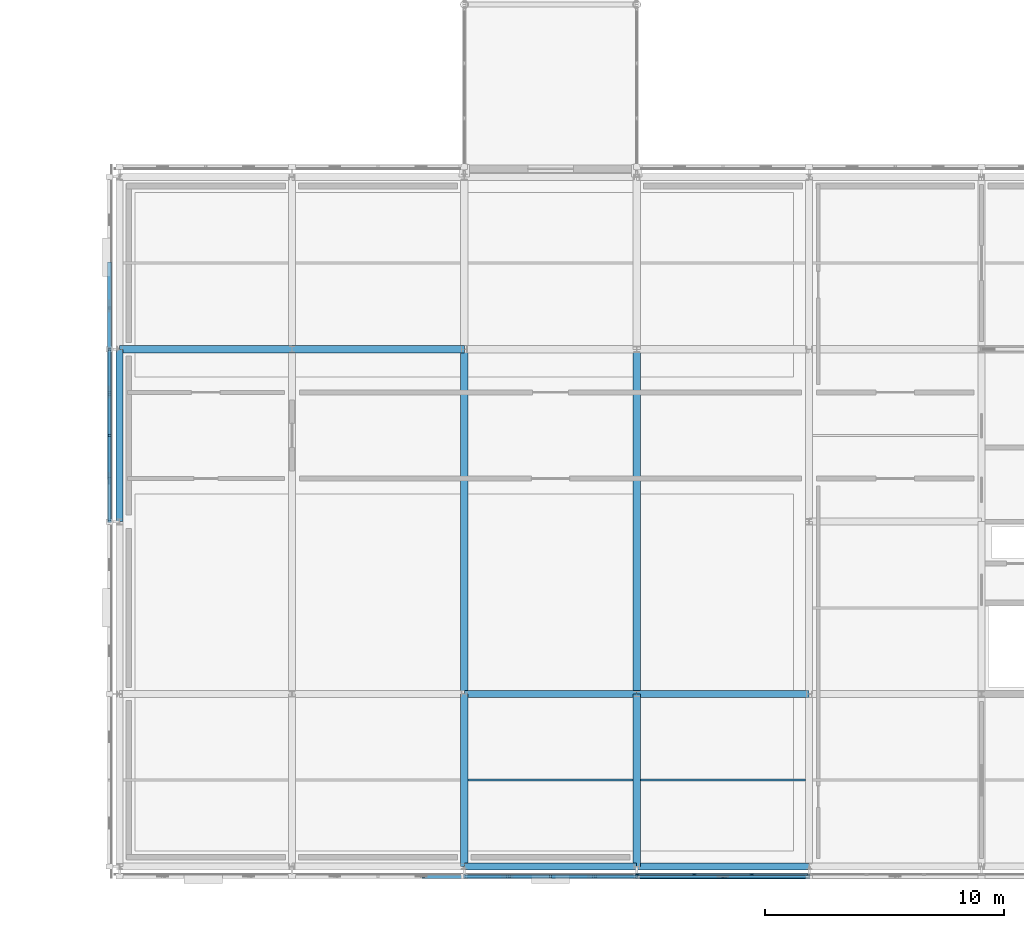
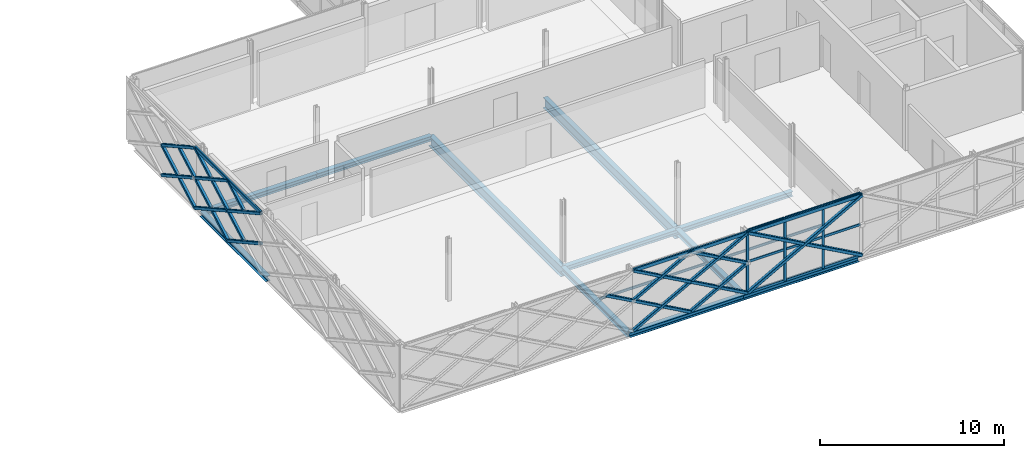
# One storey, part 20 of 126: 46 members, 13 beams, 1 element without a shape of its own.
"""IFC4 building model written with IfcOpenShell, lengths in metres."""

from ifc_helpers import new_model, si_unit, direction, frame, origin, origin_2d, place, context, subcontext, project, spatial, rectangle, hollow_rectangle, i_section, extrude, material, material_profile, profile_set, type_object, element, aggregate, save


model = new_model("IFC4")

# Units and contexts
model_context = context("Model", 3, precision=1e-05, world=origin(), true_north=direction((0.0, 1.0)))
body_context = subcontext(model_context, "Body", "Model", "MODEL_VIEW")
ifc_project = project(units=[si_unit("LENGTHUNIT", "METRE"), si_unit("AREAUNIT", "SQUARE_METRE"), si_unit("VOLUMEUNIT", "CUBIC_METRE"), si_unit("PLANEANGLEUNIT", "RADIAN"), si_unit("MASSUNIT", "GRAM", prefix="KILO")], contexts=[model_context])

# Site, building, storey
site_placement = place(None, origin())
site = spatial("IfcSite", under=ifc_project, at=site_placement, CompositionType="ELEMENT")
building_placement = place(site_placement, origin())
building = spatial("IfcBuilding", under=site, at=building_placement, Name="Zlatovets Crest Museum", CompositionType="ELEMENT")
storey_placement = place(building_placement, frame((0.0, 0.0, 8.699951171875)))
storey = spatial("IfcBuildingStorey", under=building, at=storey_placement, Name="L02", CompositionType="ELEMENT", Elevation=8.699951171875)

# Beams
ifc_material_1 = material(Name="Structural steel S355J2", Category="steel")
ifc_material_profile_1 = material_profile(ifc_material_1, i_section(OverallWidth=0.300048828125, OverallDepth=0.35009765625, WebThickness=0.010009765625, FlangeThickness=0.017578125, FilletRadius=0.027099609375, at=origin_2d()), Name="HEA 360")
ifc_profile_set_1 = profile_set([ifc_material_profile_1], Name="Structural steel S355J2")
beam_type_1 = type_object("IfcBeamType", Name="Beam_B-03", PredefinedType="BEAM", material=ifc_profile_set_1)
beam_1_placement = place(storey_placement, frame((0.0, 14.39990234375, -0.39501953125), z_axis=(0.0, 1.0, 0.0), x_axis=(-1.0, 0.0, 0.0)))
element("IfcBeam", 1, at=beam_1_placement, inside=storey, type_object=beam_type_1, Name="V3 L02 Grid Beam B-03", PredefinedType="BEAM", context=body_context, shape_type="SweptSolid", body=[
    extrude(i_section(OverallWidth=0.300048828125, OverallDepth=0.35009765625, WebThickness=0.010009765625, FlangeThickness=0.017578125, FilletRadius=0.027099609375, at=origin_2d()), origin(), (0.0, 0.0, 1.0), 7.2001953125),
])
for number, where, z_axis, x_axis, name in (
    (2, (14.39990234375, 0.0, -0.39501953125), (0.0, 1.0, 0.0), (-1.0, 0.0, 0.0), "V3 L02 Grid Beam B-03"),
    (3, (21.60009765625, 0.0, -0.39501953125), (0.0, 1.0, 0.0), (-1.0, 0.0, 0.0), "V3 L02 Grid Beam B-03"),
):
    element("IfcBeam", number, at=place(storey_placement, frame(where, z_axis=z_axis, x_axis=x_axis)), inside=storey, type_object=beam_type_1, Name=name, PredefinedType="BEAM", context=body_context, shape_type="SweptSolid", body=[
        extrude(i_section(OverallWidth=0.300048828125, OverallDepth=0.35009765625, WebThickness=0.010009765625, FlangeThickness=0.017578125, FilletRadius=0.027099609375, at=origin_2d()), origin(), (0.0, 0.0, 1.0), 7.199951171875),
    ])
ifc_material_profile_2 = material_profile(ifc_material_1, i_section(OverallWidth=0.300048828125, OverallDepth=0.699951171875, WebThickness=0.01708984375, FlangeThickness=0.031982421875, FilletRadius=0.027099609375, at=origin_2d()), Name="HEB 700")
ifc_profile_set_2 = profile_set([ifc_material_profile_2], Name="Structural steel S355J2")
beam_type_2 = type_object("IfcBeamType", Name="Beam_B-08", PredefinedType="BEAM", material=ifc_profile_set_2)
for number, where, z_axis, x_axis, name in (
    (4, (14.39990234375, 7.199951171875, -0.570068359375), (0.0, 1.0, 0.0), (-1.0, 0.0, 0.0), "V3 L02 Grid Beam B-08"),
    (5, (21.60009765625, 7.199951171875, -0.570068359375), (0.0, 1.0, 0.0), (-1.0, 0.0, 0.0), "V3 L02 Grid Beam B-08"),
):
    element("IfcBeam", number, at=place(storey_placement, frame(where, z_axis=z_axis, x_axis=x_axis)), inside=storey, type_object=beam_type_2, Name=name, PredefinedType="BEAM", context=body_context, shape_type="SweptSolid", body=[
        extrude(i_section(OverallWidth=0.300048828125, OverallDepth=0.699951171875, WebThickness=0.01708984375, FlangeThickness=0.031982421875, FilletRadius=0.027099609375, at=origin_2d()), origin(), (0.0, 0.0, 1.0), 14.400146484375),
    ])
ifc_material_profile_3 = material_profile(ifc_material_1, i_section(OverallWidth=0.300048828125, OverallDepth=0.330078125, WebThickness=0.009521484375, FlangeThickness=0.0166015625, FilletRadius=0.027099609375, at=origin_2d()), Name="HEA 340")
ifc_profile_set_3 = profile_set([ifc_material_profile_3], Name="Structural steel S355J2")
beam_type_3 = type_object("IfcBeamType", Name="Beam_B-11", PredefinedType="BEAM", material=ifc_profile_set_3)
beam_2_placement = place(storey_placement, frame((14.39990234375, 0.0, -0.385009765625), z_axis=(1.0, 0.0, 0.0), x_axis=(0.0, 1.0, 0.0)))
element("IfcBeam", 6, at=beam_2_placement, inside=storey, type_object=beam_type_3, Name="V3 L02 Primary Girder B-11", PredefinedType="BEAM", context=body_context, shape_type="SweptSolid", body=[
    extrude(i_section(OverallWidth=0.300048828125, OverallDepth=0.330078125, WebThickness=0.009521484375, FlangeThickness=0.0166015625, FilletRadius=0.027099609375, at=origin_2d()), origin(), (0.0, 0.0, 1.0), 7.2001953125),
])
beam_3_placement = place(storey_placement, frame((21.60009765625, 0.0, -0.385009765625), z_axis=(1.0, 0.0, 0.0), x_axis=(0.0, 1.0, 0.0)))
element("IfcBeam", 7, at=beam_3_placement, inside=storey, type_object=beam_type_3, Name="V3 L02 Primary Girder B-11", PredefinedType="BEAM", context=body_context, shape_type="SweptSolid", body=[
    extrude(i_section(OverallWidth=0.300048828125, OverallDepth=0.330078125, WebThickness=0.009521484375, FlangeThickness=0.0166015625, FilletRadius=0.027099609375, at=origin_2d()), origin(), (0.0, 0.0, 1.0), 7.199951171875),
])
beam_4_placement = place(storey_placement, frame((14.39990234375, 7.199951171875, -0.385009765625), z_axis=(1.0, 0.0, 0.0), x_axis=(0.0, 1.0, 0.0)))
element("IfcBeam", 8, at=beam_4_placement, inside=storey, type_object=beam_type_3, Name="V3 L02 Primary Girder B-11", PredefinedType="BEAM", context=body_context, shape_type="SweptSolid", body=[
    extrude(i_section(OverallWidth=0.300048828125, OverallDepth=0.330078125, WebThickness=0.009521484375, FlangeThickness=0.0166015625, FilletRadius=0.027099609375, at=origin_2d()), origin(), (0.0, 0.0, 1.0), 7.2001953125),
])
for number, where, z_axis, x_axis, name in (
    (9, (21.60009765625, 7.199951171875, -0.385009765625), (1.0, 0.0, 0.0), (0.0, 1.0, 0.0), "V3 L02 Primary Girder B-11"),
    (10, (0.0, 21.60009765625, -0.385009765625), (1.0, 0.0, 0.0), (0.0, 1.0, 0.0), "V3 L02 Primary Girder B-11"),
    (11, (7.199951171875, 21.60009765625, -0.385009765625), (1.0, 0.0, 0.0), (0.0, 1.0, 0.0), "V3 L02 Primary Girder B-11"),
):
    element("IfcBeam", number, at=place(storey_placement, frame(where, z_axis=z_axis, x_axis=x_axis)), inside=storey, type_object=beam_type_3, Name=name, PredefinedType="BEAM", context=body_context, shape_type="SweptSolid", body=[
        extrude(i_section(OverallWidth=0.300048828125, OverallDepth=0.330078125, WebThickness=0.009521484375, FlangeThickness=0.0166015625, FilletRadius=0.027099609375, at=origin_2d()), origin(), (0.0, 0.0, 1.0), 7.199951171875),
    ])
ifc_material_profile_4 = material_profile(ifc_material_1, i_section(OverallWidth=0.08203125, OverallDepth=0.159912109375, WebThickness=0.0048828125, FlangeThickness=0.00732421875, FilletRadius=0.009033203125, at=origin_2d()), Name="IPE 160")
ifc_profile_set_4 = profile_set([ifc_material_profile_4], Name="Structural steel S355J2")
beam_type_4 = type_object("IfcBeamType", Name="Beam_J-12", PredefinedType="JOIST", material=ifc_profile_set_4)
for number, where, z_axis, x_axis, name in (
    (12, (14.550048828125, 3.60009765625, -0.300048828125), (1.0, 0.0, 0.0), (0.0, 1.0, 0.0), "V3 L02 Composite Joist J-12"),
    (13, (21.75, 3.60009765625, -0.300048828125), (1.0, 0.0, 0.0), (0.0, 1.0, 0.0), "V3 L02 Composite Joist J-12"),
):
    element("IfcBeam", number, at=place(storey_placement, frame(where, z_axis=z_axis, x_axis=x_axis)), inside=storey, type_object=beam_type_4, Name=name, PredefinedType="JOIST", context=body_context, shape_type="SweptSolid", body=[
        extrude(i_section(OverallWidth=0.08203125, OverallDepth=0.159912109375, WebThickness=0.0048828125, FlangeThickness=0.00732421875, FilletRadius=0.009033203125, at=origin_2d()), origin(), (0.0, 0.0, 1.0), 6.89990234375),
    ])

# Curtain wall, members
ifc_material_2 = material(Name="Bronze-anodised aluminium and low-E triple glass", Category="aluminium")
curtain_wall_type = type_object("IfcCurtainWallType", Name="CW_CW-V3-L02-M3", PredefinedType="NOTDEFINED", material=ifc_material_2)
curtain_wall_placement = place(storey_placement, origin())
curtain_wall = element("IfcCurtainWall", 14, at=curtain_wall_placement, inside=storey, type_object=curtain_wall_type, Name="V3 L02 Secession Foyer Clear Curtain Wall", PredefinedType="NOTDEFINED")
ifc_material_3 = material(Name="Bronze-anodised aluminium EN AW-6060", Category="aluminium")
ifc_material_profile_5 = material_profile(ifc_material_3, rectangle(XDim=0.080078125, YDim=0.159912109375, at=origin_2d()), Name="ALU 80x160")
ifc_profile_set_5 = profile_set([ifc_material_profile_5], Name="Bronze-anodised aluminium EN AW-6060")
member_type_1 = type_object("IfcMemberType", Name="CWMull_M1", PredefinedType="MULLION", material=ifc_profile_set_5)
member_1_placement = place(storey_placement, frame((21.6298828125, -0.340087890625, 0.0), z_axis=(0.0, 0.0, 1.0), x_axis=(0.0, 1.0, 0.0)))
member_1 = element("IfcMember", 15, at=member_1_placement, type_object=member_type_1, Name="CW-V3-L02-M3 mullion 1", PredefinedType="MULLION", context=body_context, shape_type="SweptSolid", body=[
    extrude(rectangle(XDim=0.080078125, YDim=0.159912109375, at=origin_2d()), origin(), (0.0, 0.0, 1.0), 4.199951171875),
])
member_2_placement = place(storey_placement, frame((24.0, -0.340087890625, 0.0), z_axis=(0.0, 0.0, 1.0), x_axis=(0.0, 1.0, 0.0)))
member_2 = element("IfcMember", 16, at=member_2_placement, type_object=member_type_1, Name="CW-V3-L02-M3 mullion 2", PredefinedType="MULLION", context=body_context, shape_type="SweptSolid", body=[
    extrude(rectangle(XDim=0.080078125, YDim=0.159912109375, at=origin_2d()), origin(), (0.0, 0.0, 1.0), 4.199951171875),
])
member_3_placement = place(storey_placement, frame((26.39990234375, -0.340087890625, 0.0), z_axis=(0.0, 0.0, 1.0), x_axis=(0.0, 1.0, 0.0)))
member_3 = element("IfcMember", 17, at=member_3_placement, type_object=member_type_1, Name="CW-V3-L02-M3 mullion 3", PredefinedType="MULLION", context=body_context, shape_type="SweptSolid", body=[
    extrude(rectangle(XDim=0.080078125, YDim=0.159912109375, at=origin_2d()), origin(), (0.0, 0.0, 1.0), 4.199951171875),
])
ifc_material_profile_6 = material_profile(ifc_material_3, rectangle(XDim=0.080078125, YDim=0.159912109375, at=origin_2d()), Name="ALU 80x160")
ifc_profile_set_6 = profile_set([ifc_material_profile_6], Name="Bronze-anodised aluminium EN AW-6060")
member_type_2 = type_object("IfcMemberType", Name="CWTrans_T1", PredefinedType="USERDEFINED", material=ifc_profile_set_6)
member_4_placement = place(storey_placement, frame((21.659912109375, -0.340087890625, 0.030029296875), z_axis=(1.0, 0.0, 0.0), x_axis=(0.0, 1.0, 0.0)))
member_4 = element("IfcMember", 18, at=member_4_placement, type_object=member_type_2, Name="CW-V3-L02-M3 transom 1.1", ObjectType="TRANSOM", PredefinedType="USERDEFINED", context=body_context, shape_type="SweptSolid", body=[
    extrude(rectangle(XDim=0.080078125, YDim=0.159912109375, at=origin_2d()), origin(), (0.0, 0.0, 1.0), 2.31005859375),
])
member_5_placement = place(storey_placement, frame((21.659912109375, -0.340087890625, 2.10009765625), z_axis=(1.0, 0.0, 0.0), x_axis=(0.0, 1.0, 0.0)))
member_5 = element("IfcMember", 19, at=member_5_placement, type_object=member_type_2, Name="CW-V3-L02-M3 transom 1.2", ObjectType="TRANSOM", PredefinedType="USERDEFINED", context=body_context, shape_type="SweptSolid", body=[
    extrude(rectangle(XDim=0.080078125, YDim=0.159912109375, at=origin_2d()), origin(), (0.0, 0.0, 1.0), 2.31005859375),
])
member_6_placement = place(storey_placement, frame((21.659912109375, -0.340087890625, 4.170166015625), z_axis=(1.0, 0.0, 0.0), x_axis=(0.0, 1.0, 0.0)))
member_6 = element("IfcMember", 20, at=member_6_placement, type_object=member_type_2, Name="CW-V3-L02-M3 transom 1.3", ObjectType="TRANSOM", PredefinedType="USERDEFINED", context=body_context, shape_type="SweptSolid", body=[
    extrude(rectangle(XDim=0.080078125, YDim=0.159912109375, at=origin_2d()), origin(), (0.0, 0.0, 1.0), 2.31005859375),
])
member_7_placement = place(storey_placement, frame((24.030029296875, -0.340087890625, 0.030029296875), z_axis=(1.0, 0.0, 0.0), x_axis=(0.0, 1.0, 0.0)))
member_7 = element("IfcMember", 21, at=member_7_placement, type_object=member_type_2, Name="CW-V3-L02-M3 transom 2.1", ObjectType="TRANSOM", PredefinedType="USERDEFINED", context=body_context, shape_type="SweptSolid", body=[
    extrude(rectangle(XDim=0.080078125, YDim=0.159912109375, at=origin_2d()), origin(), (0.0, 0.0, 1.0), 2.340087890625),
])
member_8_placement = place(storey_placement, frame((24.030029296875, -0.340087890625, 2.10009765625), z_axis=(1.0, 0.0, 0.0), x_axis=(0.0, 1.0, 0.0)))
member_8 = element("IfcMember", 22, at=member_8_placement, type_object=member_type_2, Name="CW-V3-L02-M3 transom 2.2", ObjectType="TRANSOM", PredefinedType="USERDEFINED", context=body_context, shape_type="SweptSolid", body=[
    extrude(rectangle(XDim=0.080078125, YDim=0.159912109375, at=origin_2d()), origin(), (0.0, 0.0, 1.0), 2.340087890625),
])
member_9_placement = place(storey_placement, frame((24.030029296875, -0.340087890625, 4.170166015625), z_axis=(1.0, 0.0, 0.0), x_axis=(0.0, 1.0, 0.0)))
member_9 = element("IfcMember", 23, at=member_9_placement, type_object=member_type_2, Name="CW-V3-L02-M3 transom 2.3", ObjectType="TRANSOM", PredefinedType="USERDEFINED", context=body_context, shape_type="SweptSolid", body=[
    extrude(rectangle(XDim=0.080078125, YDim=0.159912109375, at=origin_2d()), origin(), (0.0, 0.0, 1.0), 2.340087890625),
])
member_10_placement = place(storey_placement, frame((26.429931640625, -0.340087890625, 0.030029296875), z_axis=(1.0, 0.0, 0.0), x_axis=(0.0, 1.0, 0.0)))
member_10 = element("IfcMember", 24, at=member_10_placement, type_object=member_type_2, Name="CW-V3-L02-M3 transom 3.1", ObjectType="TRANSOM", PredefinedType="USERDEFINED", context=body_context, shape_type="SweptSolid", body=[
    extrude(rectangle(XDim=0.080078125, YDim=0.159912109375, at=origin_2d()), origin(), (0.0, 0.0, 1.0), 2.31005859375),
])
member_11_placement = place(storey_placement, frame((26.429931640625, -0.340087890625, 2.10009765625), z_axis=(1.0, 0.0, 0.0), x_axis=(0.0, 1.0, 0.0)))
member_11 = element("IfcMember", 25, at=member_11_placement, type_object=member_type_2, Name="CW-V3-L02-M3 transom 3.2", ObjectType="TRANSOM", PredefinedType="USERDEFINED", context=body_context, shape_type="SweptSolid", body=[
    extrude(rectangle(XDim=0.080078125, YDim=0.159912109375, at=origin_2d()), origin(), (0.0, 0.0, 1.0), 2.31005859375),
])
member_12_placement = place(storey_placement, frame((26.429931640625, -0.340087890625, 4.170166015625), z_axis=(1.0, 0.0, 0.0), x_axis=(0.0, 1.0, 0.0)))
member_12 = element("IfcMember", 26, at=member_12_placement, type_object=member_type_2, Name="CW-V3-L02-M3 transom 3.3", ObjectType="TRANSOM", PredefinedType="USERDEFINED", context=body_context, shape_type="SweptSolid", body=[
    extrude(rectangle(XDim=0.080078125, YDim=0.159912109375, at=origin_2d()), origin(), (0.0, 0.0, 1.0), 2.31005859375),
])
aggregate(curtain_wall, [member_1, member_2, member_3, member_4, member_5, member_6, member_7, member_8, member_9, member_10, member_11, member_12])

# Members
ifc_material_4 = material(Name="Weathering bronze-steel S355J2W", Category="steel")
ifc_material_profile_7 = material_profile(ifc_material_4, hollow_rectangle(XDim=0.179931640625, YDim=0.179931640625, WallThickness=0.010009765625, InnerFilletRadius=0.010009765625, OuterFilletRadius=0.02001953125, at=origin_2d()), Name="SHS 180x180x10.0")
ifc_profile_set_7 = profile_set([ifc_material_profile_7], Name="Weathering bronze-steel S355J2W")
member_type_3 = type_object("IfcMemberType", Name="Lattice_XL-01", PredefinedType="BRACE", material=ifc_profile_set_7)
member_13_placement = place(storey_placement, frame((12.68310546875, -0.419921875, 3.053955078125), z_axis=(0.874139684676, 0.0, -0.48567459443), x_axis=(0.0, 1.0, 0.0)))
element("IfcMember", 27, at=member_13_placement, inside=storey, type_object=member_type_3, Name="Split Crossing Bronze Lattice Diagonal Lower", PredefinedType="BRACE", context=body_context, shape_type="SweptSolid", body=[
    extrude(hollow_rectangle(XDim=0.179931640625, YDim=0.179931640625, WallThickness=0.010009765625, InnerFilletRadius=0.010009765625, OuterFilletRadius=0.02001953125, at=origin_2d()), origin(), (0.0, 0.0, 1.0), 1.9638671875),
])
member_14_placement = place(storey_placement, frame((14.39990234375, -0.419921875, 0.10009765625), z_axis=(0.874162868644, 0.0, 0.485632864501), x_axis=(0.0, 1.0, 0.0)))
element("IfcMember", 28, at=member_14_placement, inside=storey, type_object=member_type_3, Name="Continuous Bronze Lattice Diagonal", PredefinedType="BRACE", context=body_context, shape_type="SweptSolid", body=[
    extrude(hollow_rectangle(XDim=0.179931640625, YDim=0.179931640625, WallThickness=0.010009765625, InnerFilletRadius=0.010009765625, OuterFilletRadius=0.02001953125, at=origin_2d()), origin(), (0.0, 0.0, 1.0), 4.118408203125),
])
for number, where, z_axis, x_axis, name in (
    (29, (14.39990234375, -0.419921875, 2.10009765625), (0.874169001841, 0.0, -0.485621824284), (0.0, 1.0, 0.0), "Split Crossing Bronze Lattice Diagonal Upper"),
    (30, (16.282958984375, -0.419921875, 1.053955078125), (0.874169001841, 0.0, -0.485621824284), (0.0, 1.0, 0.0), "Split Crossing Bronze Lattice Diagonal Lower"),
):
    element("IfcMember", number, at=place(storey_placement, frame(where, z_axis=z_axis, x_axis=x_axis)), inside=storey, type_object=member_type_3, Name=name, PredefinedType="BRACE", context=body_context, shape_type="SweptSolid", body=[
        extrude(hollow_rectangle(XDim=0.179931640625, YDim=0.179931640625, WallThickness=0.010009765625, InnerFilletRadius=0.010009765625, OuterFilletRadius=0.02001953125, at=origin_2d()), origin(), (0.0, 0.0, 1.0), 1.964111328125),
    ])
member_15_placement = place(storey_placement, frame((18.0, -0.419921875, 0.10009765625), z_axis=(0.874162868644, 0.0, 0.485632864501), x_axis=(0.0, 1.0, 0.0)))
element("IfcMember", 31, at=member_15_placement, inside=storey, type_object=member_type_3, Name="Continuous Bronze Lattice Diagonal", PredefinedType="BRACE", context=body_context, shape_type="SweptSolid", body=[
    extrude(hollow_rectangle(XDim=0.179931640625, YDim=0.179931640625, WallThickness=0.010009765625, InnerFilletRadius=0.010009765625, OuterFilletRadius=0.02001953125, at=origin_2d()), origin(), (0.0, 0.0, 1.0), 4.118408203125),
])
for number, where, z_axis, x_axis, name in (
    (32, (18.0, -0.419921875, 2.10009765625), (0.874169001841, 0.0, -0.485621824284), (0.0, 1.0, 0.0), "Split Crossing Bronze Lattice Diagonal Upper"),
    (33, (19.883056640625, -0.419921875, 1.053955078125), (0.874169001841, 0.0, -0.485621824284), (0.0, 1.0, 0.0), "Split Crossing Bronze Lattice Diagonal Lower"),
):
    element("IfcMember", number, at=place(storey_placement, frame(where, z_axis=z_axis, x_axis=x_axis)), inside=storey, type_object=member_type_3, Name=name, PredefinedType="BRACE", context=body_context, shape_type="SweptSolid", body=[
        extrude(hollow_rectangle(XDim=0.179931640625, YDim=0.179931640625, WallThickness=0.010009765625, InnerFilletRadius=0.010009765625, OuterFilletRadius=0.02001953125, at=origin_2d()), origin(), (0.0, 0.0, 1.0), 1.964111328125),
    ])
member_16_placement = place(storey_placement, frame((14.39990234375, -0.419921875, 2.10009765625), z_axis=(0.874162868644, 0.0, 0.485632864501), x_axis=(0.0, 1.0, 0.0)))
element("IfcMember", 34, at=member_16_placement, inside=storey, type_object=member_type_3, Name="Continuous Bronze Lattice Diagonal", PredefinedType="BRACE", context=body_context, shape_type="SweptSolid", body=[
    extrude(hollow_rectangle(XDim=0.179931640625, YDim=0.179931640625, WallThickness=0.010009765625, InnerFilletRadius=0.010009765625, OuterFilletRadius=0.02001953125, at=origin_2d()), origin(), (0.0, 0.0, 1.0), 4.118408203125),
])
for number, where, z_axis, x_axis, name in (
    (35, (14.39990234375, -0.419921875, 4.10009765625), (0.874169001841, 0.0, -0.485621824284), (0.0, 1.0, 0.0), "Split Crossing Bronze Lattice Diagonal Upper"),
    (36, (16.282958984375, -0.419921875, 3.053955078125), (0.874169001841, 0.0, -0.485621824284), (0.0, 1.0, 0.0), "Split Crossing Bronze Lattice Diagonal Lower"),
):
    element("IfcMember", number, at=place(storey_placement, frame(where, z_axis=z_axis, x_axis=x_axis)), inside=storey, type_object=member_type_3, Name=name, PredefinedType="BRACE", context=body_context, shape_type="SweptSolid", body=[
        extrude(hollow_rectangle(XDim=0.179931640625, YDim=0.179931640625, WallThickness=0.010009765625, InnerFilletRadius=0.010009765625, OuterFilletRadius=0.02001953125, at=origin_2d()), origin(), (0.0, 0.0, 1.0), 1.964111328125),
    ])
member_17_placement = place(storey_placement, frame((18.0, -0.419921875, 2.10009765625), z_axis=(0.874162868644, 0.0, 0.485632864501), x_axis=(0.0, 1.0, 0.0)))
element("IfcMember", 37, at=member_17_placement, inside=storey, type_object=member_type_3, Name="Continuous Bronze Lattice Diagonal", PredefinedType="BRACE", context=body_context, shape_type="SweptSolid", body=[
    extrude(hollow_rectangle(XDim=0.179931640625, YDim=0.179931640625, WallThickness=0.010009765625, InnerFilletRadius=0.010009765625, OuterFilletRadius=0.02001953125, at=origin_2d()), origin(), (0.0, 0.0, 1.0), 4.118408203125),
])
for number, where, z_axis, x_axis, name in (
    (38, (18.0, -0.419921875, 4.10009765625), (0.874169001841, 0.0, -0.485621824284), (0.0, 1.0, 0.0), "Split Crossing Bronze Lattice Diagonal Upper"),
    (39, (19.883056640625, -0.419921875, 3.053955078125), (0.874169001841, 0.0, -0.485621824284), (0.0, 1.0, 0.0), "Split Crossing Bronze Lattice Diagonal Lower"),
):
    element("IfcMember", number, at=place(storey_placement, frame(where, z_axis=z_axis, x_axis=x_axis)), inside=storey, type_object=member_type_3, Name=name, PredefinedType="BRACE", context=body_context, shape_type="SweptSolid", body=[
        extrude(hollow_rectangle(XDim=0.179931640625, YDim=0.179931640625, WallThickness=0.010009765625, InnerFilletRadius=0.010009765625, OuterFilletRadius=0.02001953125, at=origin_2d()), origin(), (0.0, 0.0, 1.0), 1.964111328125),
    ])
member_18_placement = place(storey_placement, frame((-0.419921875, 25.199951171875, 0.10009765625), z_axis=(0.0, -0.874148886685, 0.485658031857), x_axis=(1.0, 0.0, 0.0)))
element("IfcMember", 40, at=member_18_placement, inside=storey, type_object=member_type_3, Name="Continuous Bronze Lattice Diagonal", PredefinedType="BRACE", context=body_context, shape_type="SweptSolid", body=[
    extrude(hollow_rectangle(XDim=0.179931640625, YDim=0.179931640625, WallThickness=0.010009765625, InnerFilletRadius=0.010009765625, OuterFilletRadius=0.02001953125, at=origin_2d()), origin(), (0.0, 0.0, 1.0), 4.1181640625),
])
member_19_placement = place(storey_placement, frame((-0.419921875, 25.199951171875, 2.10009765625), z_axis=(0.0, -0.874169001841, -0.485621824284), x_axis=(1.0, 0.0, 0.0)))
element("IfcMember", 41, at=member_19_placement, inside=storey, type_object=member_type_3, Name="Split Crossing Bronze Lattice Diagonal Upper", PredefinedType="BRACE", context=body_context, shape_type="SweptSolid", body=[
    extrude(hollow_rectangle(XDim=0.179931640625, YDim=0.179931640625, WallThickness=0.010009765625, InnerFilletRadius=0.010009765625, OuterFilletRadius=0.02001953125, at=origin_2d()), origin(), (0.0, 0.0, 1.0), 1.964111328125),
])
member_20_placement = place(storey_placement, frame((-0.419921875, 23.31689453125, 1.053955078125), z_axis=(0.0, -0.874139684676, -0.48567459443), x_axis=(1.0, 0.0, 0.0)))
element("IfcMember", 42, at=member_20_placement, inside=storey, type_object=member_type_3, Name="Split Crossing Bronze Lattice Diagonal Lower", PredefinedType="BRACE", context=body_context, shape_type="SweptSolid", body=[
    extrude(hollow_rectangle(XDim=0.179931640625, YDim=0.179931640625, WallThickness=0.010009765625, InnerFilletRadius=0.010009765625, OuterFilletRadius=0.02001953125, at=origin_2d()), origin(), (0.0, 0.0, 1.0), 1.9638671875),
])
member_21_placement = place(storey_placement, frame((-0.419921875, 25.199951171875, 2.10009765625), z_axis=(0.0, -0.874148886685, 0.485658031857), x_axis=(1.0, 0.0, 0.0)))
element("IfcMember", 43, at=member_21_placement, inside=storey, type_object=member_type_3, Name="Continuous Bronze Lattice Diagonal", PredefinedType="BRACE", context=body_context, shape_type="SweptSolid", body=[
    extrude(hollow_rectangle(XDim=0.179931640625, YDim=0.179931640625, WallThickness=0.010009765625, InnerFilletRadius=0.010009765625, OuterFilletRadius=0.02001953125, at=origin_2d()), origin(), (0.0, 0.0, 1.0), 4.1181640625),
])
member_22_placement = place(storey_placement, frame((-0.419921875, 23.31689453125, 3.053955078125), z_axis=(0.0, -0.874139684676, -0.48567459443), x_axis=(1.0, 0.0, 0.0)))
element("IfcMember", 44, at=member_22_placement, inside=storey, type_object=member_type_3, Name="Split Crossing Bronze Lattice Diagonal Lower", PredefinedType="BRACE", context=body_context, shape_type="SweptSolid", body=[
    extrude(hollow_rectangle(XDim=0.179931640625, YDim=0.179931640625, WallThickness=0.010009765625, InnerFilletRadius=0.010009765625, OuterFilletRadius=0.02001953125, at=origin_2d()), origin(), (0.0, 0.0, 1.0), 1.9638671875),
])
member_23_placement = place(storey_placement, frame((-0.419921875, 21.60009765625, 0.10009765625), z_axis=(0.0, -0.874162868644, 0.485632864501), x_axis=(1.0, 0.0, 0.0)))
element("IfcMember", 45, at=member_23_placement, inside=storey, type_object=member_type_3, Name="Continuous Bronze Lattice Diagonal", PredefinedType="BRACE", context=body_context, shape_type="SweptSolid", body=[
    extrude(hollow_rectangle(XDim=0.179931640625, YDim=0.179931640625, WallThickness=0.010009765625, InnerFilletRadius=0.010009765625, OuterFilletRadius=0.02001953125, at=origin_2d()), origin(), (0.0, 0.0, 1.0), 4.118408203125),
])
for number, where, z_axis, x_axis, name in (
    (46, (-0.419921875, 21.60009765625, 2.10009765625), (0.0, -0.874169001841, -0.485621824284), (1.0, 0.0, 0.0), "Split Crossing Bronze Lattice Diagonal Upper"),
    (47, (-0.419921875, 19.717041015625, 1.053955078125), (0.0, -0.874169001841, -0.485621824284), (1.0, 0.0, 0.0), "Split Crossing Bronze Lattice Diagonal Lower"),
):
    element("IfcMember", number, at=place(storey_placement, frame(where, z_axis=z_axis, x_axis=x_axis)), inside=storey, type_object=member_type_3, Name=name, PredefinedType="BRACE", context=body_context, shape_type="SweptSolid", body=[
        extrude(hollow_rectangle(XDim=0.179931640625, YDim=0.179931640625, WallThickness=0.010009765625, InnerFilletRadius=0.010009765625, OuterFilletRadius=0.02001953125, at=origin_2d()), origin(), (0.0, 0.0, 1.0), 1.964111328125),
    ])
member_24_placement = place(storey_placement, frame((-0.419921875, 18.0, 0.10009765625), z_axis=(0.0, -0.874162868644, 0.485632864501), x_axis=(1.0, 0.0, 0.0)))
element("IfcMember", 48, at=member_24_placement, inside=storey, type_object=member_type_3, Name="Continuous Bronze Lattice Diagonal", PredefinedType="BRACE", context=body_context, shape_type="SweptSolid", body=[
    extrude(hollow_rectangle(XDim=0.179931640625, YDim=0.179931640625, WallThickness=0.010009765625, InnerFilletRadius=0.010009765625, OuterFilletRadius=0.02001953125, at=origin_2d()), origin(), (0.0, 0.0, 1.0), 4.118408203125),
])
member_25_placement = place(storey_placement, frame((-0.419921875, 18.0, 2.10009765625), z_axis=(0.0, -0.874169001841, -0.485621824284), x_axis=(1.0, 0.0, 0.0)))
element("IfcMember", 49, at=member_25_placement, inside=storey, type_object=member_type_3, Name="Split Crossing Bronze Lattice Diagonal Upper", PredefinedType="BRACE", context=body_context, shape_type="SweptSolid", body=[
    extrude(hollow_rectangle(XDim=0.179931640625, YDim=0.179931640625, WallThickness=0.010009765625, InnerFilletRadius=0.010009765625, OuterFilletRadius=0.02001953125, at=origin_2d()), origin(), (0.0, 0.0, 1.0), 1.964111328125),
])
member_26_placement = place(storey_placement, frame((-0.419921875, 21.60009765625, 2.10009765625), z_axis=(0.0, -0.874162868644, 0.485632864501), x_axis=(1.0, 0.0, 0.0)))
element("IfcMember", 50, at=member_26_placement, inside=storey, type_object=member_type_3, Name="Continuous Bronze Lattice Diagonal", PredefinedType="BRACE", context=body_context, shape_type="SweptSolid", body=[
    extrude(hollow_rectangle(XDim=0.179931640625, YDim=0.179931640625, WallThickness=0.010009765625, InnerFilletRadius=0.010009765625, OuterFilletRadius=0.02001953125, at=origin_2d()), origin(), (0.0, 0.0, 1.0), 4.118408203125),
])
for number, where, z_axis, x_axis, name in (
    (51, (-0.419921875, 21.60009765625, 4.10009765625), (0.0, -0.874169001841, -0.485621824284), (1.0, 0.0, 0.0), "Split Crossing Bronze Lattice Diagonal Upper"),
    (52, (-0.419921875, 19.717041015625, 3.053955078125), (0.0, -0.874169001841, -0.485621824284), (1.0, 0.0, 0.0), "Split Crossing Bronze Lattice Diagonal Lower"),
):
    element("IfcMember", number, at=place(storey_placement, frame(where, z_axis=z_axis, x_axis=x_axis)), inside=storey, type_object=member_type_3, Name=name, PredefinedType="BRACE", context=body_context, shape_type="SweptSolid", body=[
        extrude(hollow_rectangle(XDim=0.179931640625, YDim=0.179931640625, WallThickness=0.010009765625, InnerFilletRadius=0.010009765625, OuterFilletRadius=0.02001953125, at=origin_2d()), origin(), (0.0, 0.0, 1.0), 1.964111328125),
    ])
member_27_placement = place(storey_placement, frame((-0.419921875, 18.0, 2.10009765625), z_axis=(0.0, -0.874162868644, 0.485632864501), x_axis=(1.0, 0.0, 0.0)))
element("IfcMember", 53, at=member_27_placement, inside=storey, type_object=member_type_3, Name="Continuous Bronze Lattice Diagonal", PredefinedType="BRACE", context=body_context, shape_type="SweptSolid", body=[
    extrude(hollow_rectangle(XDim=0.179931640625, YDim=0.179931640625, WallThickness=0.010009765625, InnerFilletRadius=0.010009765625, OuterFilletRadius=0.02001953125, at=origin_2d()), origin(), (0.0, 0.0, 1.0), 4.118408203125),
])
member_28_placement = place(storey_placement, frame((-0.419921875, 18.0, 4.10009765625), z_axis=(0.0, -0.874169001841, -0.485621824284), x_axis=(1.0, 0.0, 0.0)))
element("IfcMember", 54, at=member_28_placement, inside=storey, type_object=member_type_3, Name="Split Crossing Bronze Lattice Diagonal Upper", PredefinedType="BRACE", context=body_context, shape_type="SweptSolid", body=[
    extrude(hollow_rectangle(XDim=0.179931640625, YDim=0.179931640625, WallThickness=0.010009765625, InnerFilletRadius=0.010009765625, OuterFilletRadius=0.02001953125, at=origin_2d()), origin(), (0.0, 0.0, 1.0), 1.964111328125),
])
ifc_material_profile_8 = material_profile(ifc_material_4, hollow_rectangle(XDim=0.199951171875, YDim=0.199951171875, WallThickness=0.012451171875, InnerFilletRadius=0.012451171875, OuterFilletRadius=0.02490234375, at=origin_2d()), Name="SHS 200x200x12.5")
ifc_profile_set_8 = profile_set([ifc_material_profile_8], Name="Weathering bronze-steel S355J2W")
member_type_4 = type_object("IfcMemberType", Name="Lattice_XL-02", PredefinedType="BRACE", material=ifc_profile_set_8)
member_29_placement = place(storey_placement, frame((21.60009765625, -0.419921875, 0.10009765625), z_axis=(0.874155877937, 0.0, 0.485645447903), x_axis=(0.0, 1.0, 0.0)))
element("IfcMember", 55, at=member_29_placement, inside=storey, type_object=member_type_4, Name="Continuous Bronze Lattice Diagonal", PredefinedType="BRACE", context=body_context, shape_type="SweptSolid", body=[
    extrude(hollow_rectangle(XDim=0.199951171875, YDim=0.199951171875, WallThickness=0.012451171875, InnerFilletRadius=0.012451171875, OuterFilletRadius=0.02490234375, at=origin_2d()), origin(), (0.0, 0.0, 1.0), 8.236572265625),
])
member_30_placement = place(storey_placement, frame((21.60009765625, -0.419921875, 4.10009765625), z_axis=(0.874151551165, 0.0, -0.485653235958), x_axis=(0.0, 1.0, 0.0)))
element("IfcMember", 56, at=member_30_placement, inside=storey, type_object=member_type_4, Name="Split Crossing Bronze Lattice Diagonal Upper", PredefinedType="BRACE", context=body_context, shape_type="SweptSolid", body=[
    extrude(hollow_rectangle(XDim=0.199951171875, YDim=0.199951171875, WallThickness=0.012451171875, InnerFilletRadius=0.012451171875, OuterFilletRadius=0.02490234375, at=origin_2d()), origin(), (0.0, 0.0, 1.0), 4.023193359375),
])
member_31_placement = place(storey_placement, frame((25.282958984375, -0.419921875, 2.053955078125), z_axis=(0.874165862873, 0.0, -0.485627474703), x_axis=(0.0, 1.0, 0.0)))
element("IfcMember", 57, at=member_31_placement, inside=storey, type_object=member_type_4, Name="Split Crossing Bronze Lattice Diagonal Lower", PredefinedType="BRACE", context=body_context, shape_type="SweptSolid", body=[
    extrude(hollow_rectangle(XDim=0.199951171875, YDim=0.199951171875, WallThickness=0.012451171875, InnerFilletRadius=0.012451171875, OuterFilletRadius=0.02490234375, at=origin_2d()), origin(), (0.0, 0.0, 1.0), 4.0234375),
])
ifc_material_profile_9 = material_profile(ifc_material_4, hollow_rectangle(XDim=0.1201171875, YDim=0.239990234375, WallThickness=0.010009765625, InnerFilletRadius=0.010009765625, OuterFilletRadius=0.02001953125, at=origin_2d()), Name="RHS 120x240x10.0")
ifc_profile_set_9 = profile_set([ifc_material_profile_9], Name="Weathering bronze-steel S355J2W")
member_type_5 = type_object("IfcMemberType", Name="Lattice_XL-04", PredefinedType="CHORD", material=ifc_profile_set_9)
member_32_placement = place(storey_placement, frame((14.39990234375, -0.419921875, 4.10009765625), z_axis=(1.0, 0.0, 0.0), x_axis=(0.0, 1.0, 0.0)))
element("IfcMember", 58, at=member_32_placement, inside=storey, type_object=member_type_5, Name="Art Nouveau Woven Cage Collector Ring Chord", PredefinedType="CHORD", context=body_context, shape_type="SweptSolid", body=[
    extrude(hollow_rectangle(XDim=0.1201171875, YDim=0.239990234375, WallThickness=0.010009765625, InnerFilletRadius=0.010009765625, OuterFilletRadius=0.02001953125, at=origin_2d()), origin(), (0.0, 0.0, 1.0), 7.2001953125),
])
member_33_placement = place(storey_placement, frame((21.60009765625, -0.419921875, 4.10009765625), z_axis=(1.0, 0.0, 0.0), x_axis=(0.0, 1.0, 0.0)))
element("IfcMember", 59, at=member_33_placement, inside=storey, type_object=member_type_5, Name="Art Nouveau Woven Cage Collector Ring Chord", PredefinedType="CHORD", context=body_context, shape_type="SweptSolid", body=[
    extrude(hollow_rectangle(XDim=0.1201171875, YDim=0.239990234375, WallThickness=0.010009765625, InnerFilletRadius=0.010009765625, OuterFilletRadius=0.02001953125, at=origin_2d()), origin(), (0.0, 0.0, 1.0), 7.199951171875),
])
member_34_placement = place(storey_placement, frame((-0.419921875, 21.60009765625, 4.10009765625), z_axis=(0.0, -1.0, 0.0), x_axis=(1.0, 0.0, 0.0)))
element("IfcMember", 60, at=member_34_placement, inside=storey, type_object=member_type_5, Name="Art Nouveau Woven Cage Collector Ring Chord", PredefinedType="CHORD", context=body_context, shape_type="SweptSolid", body=[
    extrude(hollow_rectangle(XDim=0.1201171875, YDim=0.239990234375, WallThickness=0.010009765625, InnerFilletRadius=0.010009765625, OuterFilletRadius=0.02001953125, at=origin_2d()), origin(), (0.0, 0.0, 1.0), 7.2001953125),
])

save(model, "model.ifc")
